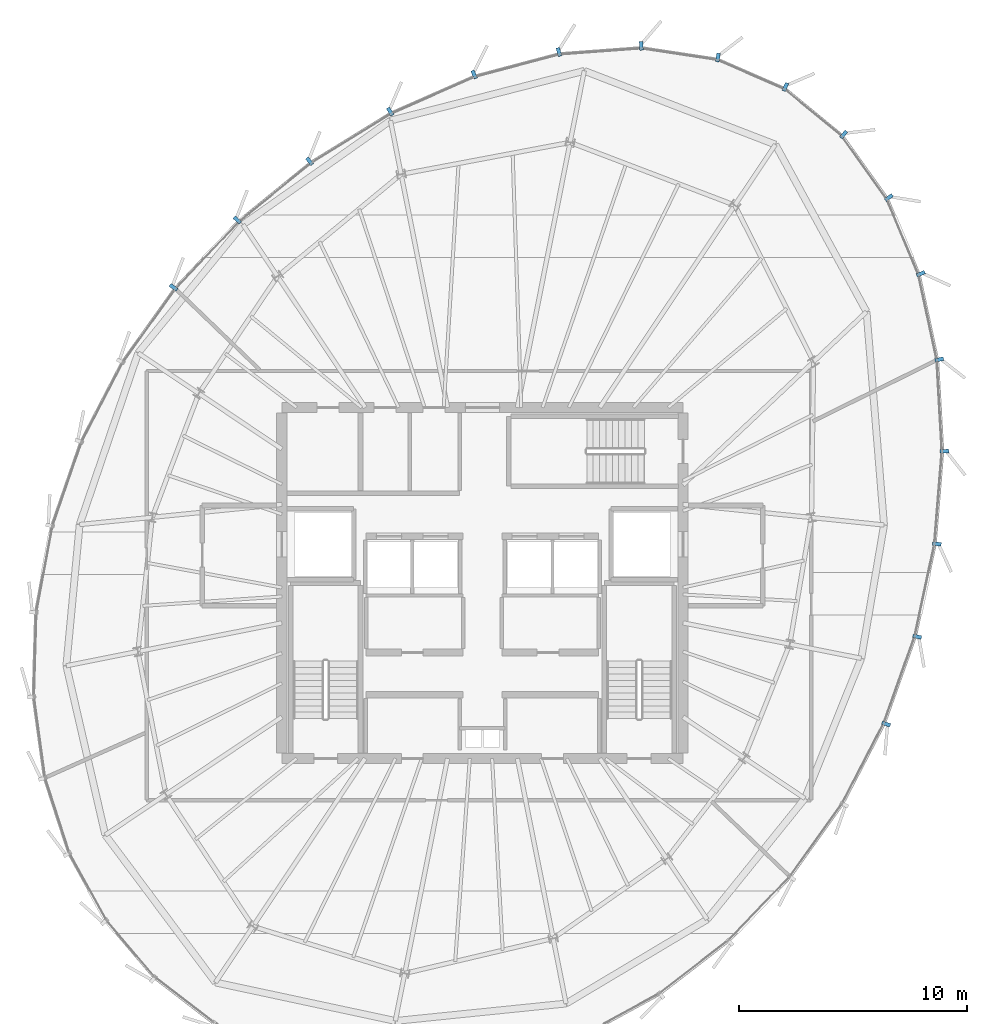
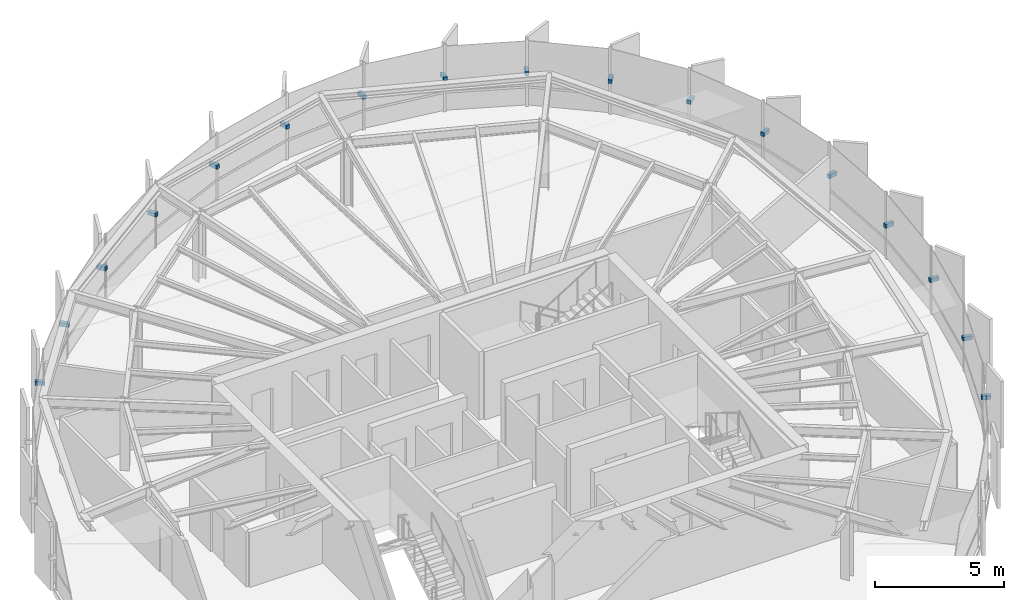
# One storey, part 27 of 31: 17 discrete accessories.
"""IFC4 building model written with IfcOpenShell, lengths in metres."""

from ifc_helpers import new_model, si_unit, direction, frame, origin, origin_2d, place, context, subcontext, project, spatial, rectangle, extrude, source, transform, mapped, material, type_object, element, save


model = new_model("IFC4")

# Units and contexts
model_context = context("Model", 3, precision=1e-05, world=origin(), true_north=direction((0.0, 1.0)))
body_context = subcontext(model_context, "Body", "Model", "MODEL_VIEW")
ifc_project = project(units=[si_unit("LENGTHUNIT", "METRE"), si_unit("AREAUNIT", "SQUARE_METRE"), si_unit("VOLUMEUNIT", "CUBIC_METRE"), si_unit("PLANEANGLEUNIT", "RADIAN"), si_unit("MASSUNIT", "GRAM", prefix="KILO"), si_unit("THERMODYNAMICTEMPERATUREUNIT", "KELVIN")], contexts=[model_context])

# Site, building, storey
site_placement = place(None, origin())
site = spatial("IfcSite", under=ifc_project, at=site_placement, CompositionType="ELEMENT")
building_placement = place(site_placement, origin())
building = spatial("IfcBuilding", under=site, at=building_placement, Name="Kethvar Cultural Tower", CompositionType="ELEMENT")
storey_placement = place(building_placement, frame((0.0, 0.0, 269.800048828125)))
storey = spatial("IfcBuildingStorey", under=building, at=storey_placement, Name="L71", CompositionType="ELEMENT", Elevation=269.800048828125)

# Discrete accessories
ifc_material = material(Name="Steel S355J2", Category="steel")
discrete_accessory_type = type_object("IfcDiscreteAccessoryType", Name="Steel Fin Bracket BRK-01", PredefinedType="BRACKET", material=ifc_material)
shared_shape = source(origin(), body_context, "Body", "SweptSolid", [
    extrude(rectangle(XDim=0.3798828125, YDim=0.159912109375, at=origin_2d()), origin(), (0.0, 0.0, 1.0), 0.179931640625),
])
for number, where, z_axis, x_axis, name in (
    (1, (60.09375, 49.563720703125, 1.51513671875), (0.0, 0.0, 1.0), (0.399869171297, 0.916572226203, 0.0), "L71 Terracotta Fin Bracket 1.1"),
    (2, (57.1337890625, 50.854736328125, 1.51513671875), (0.0, 0.0, 1.0), (0.149880475413, 0.988704123128, 0.0), "L71 Terracotta Fin Bracket 1.2"),
    (3, (53.769775390625, 51.364501953125, 1.51513671875), (0.0, 0.0, 1.0), (-0.073760379704, 0.997275993086, 0.0), "L71 Terracotta Fin Bracket 1.3"),
    (4, (50.156494140625, 51.09716796875, 1.51513671875), (0.0, 0.0, 1.0), (-0.256458072772, 0.966555356361, 0.0), "L71 Terracotta Fin Bracket 1.4"),
    (5, (46.4345703125, 50.10986328125, 1.51513671875), (0.0, 0.0, 1.0), (-0.403066169295, 0.915170838243, 0.0), "L71 Terracotta Fin Bracket 1.5"),
    (6, (42.749267578125, 48.48681640625, 1.51513671875), (0.0, 0.0, 1.0), (-0.524580395803, 0.85136091544, 0.0), "L71 Terracotta Fin Bracket 1.6"),
    (7, (39.214599609375, 46.30322265625, 1.51513671875), (0.0, 0.0, 1.0), (-0.630540352177, 0.77615646894, 0.0), "L71 Terracotta Fin Bracket 2.1"),
    (8, (36.040771484375, 43.72509765625, 1.51513671875), (0.0, 0.0, 1.0), (-0.726334787924, 0.687341091345, 0.0), "L71 Terracotta Fin Bracket 2.2"),
    (9, (33.24560546875, 40.770751953125, 1.51513671875), (0.0, 0.0, 1.0), (-0.813405448449, 0.581697151818, 0.0), "L71 Terracotta Fin Bracket 2.3"),
    (10, (64.51123046875, 21.61279296875, 1.51513671875), (0.0, 0.0, 1.0), (0.942174490079, -0.335122709234, 0.0), "L71 Terracotta Fin Bracket 5.5"),
    (11, (65.874267578125, 25.444580078125, 1.51513671875), (0.0, 0.0, 1.0), (0.977819807207, -0.209447904343, 0.0), "L71 Terracotta Fin Bracket 5.6"),
    (12, (66.74072265625, 29.513671875, 1.51513671875), (0.0, 0.0, 1.0), (0.99672264614, -0.080894787662, 0.0), "L71 Terracotta Fin Bracket 6.1"),
    (13, (67.071044921875, 33.583740234375, 1.51513671875), (0.0, 0.0, 1.0), (0.998411399248, 0.056344279679, 0.0), "L71 Terracotta Fin Bracket 6.2"),
    (14, (66.843994140625, 37.604248046875, 1.51513671875), (0.0, 0.0, 1.0), (0.977599937765, 0.210471759821, 0.0), "L71 Terracotta Fin Bracket 6.3"),
    (15, (66.033447265625, 41.369384765625, 1.51513671875), (0.0, 0.0, 1.0), (0.922065927899, 0.387032846937, 0.0), "L71 Terracotta Fin Bracket 6.4"),
    (16, (64.630859375, 44.710205078125, 1.51513671875), (0.0, 0.0, 1.0), (0.812897512265, 0.582406760395, 0.0), "L71 Terracotta Fin Bracket 6.5"),
    (17, (62.648681640625, 47.476318359375, 1.51513671875), (0.0, 0.0, 1.0), (0.635135028529, 0.772401123468, 0.0), "L71 Terracotta Fin Bracket 6.6"),
):
    element("IfcDiscreteAccessory", number, at=place(storey_placement, frame(where, z_axis=z_axis, x_axis=x_axis)), inside=storey, type_object=discrete_accessory_type, Name=name, PredefinedType="BRACKET", context=body_context, shape_type="MappedRepresentation", body=[
        mapped(shared_shape, transform((0.0, 0.0, 0.0), scale=1.0)),
    ])

save(model, "model.ifc")
